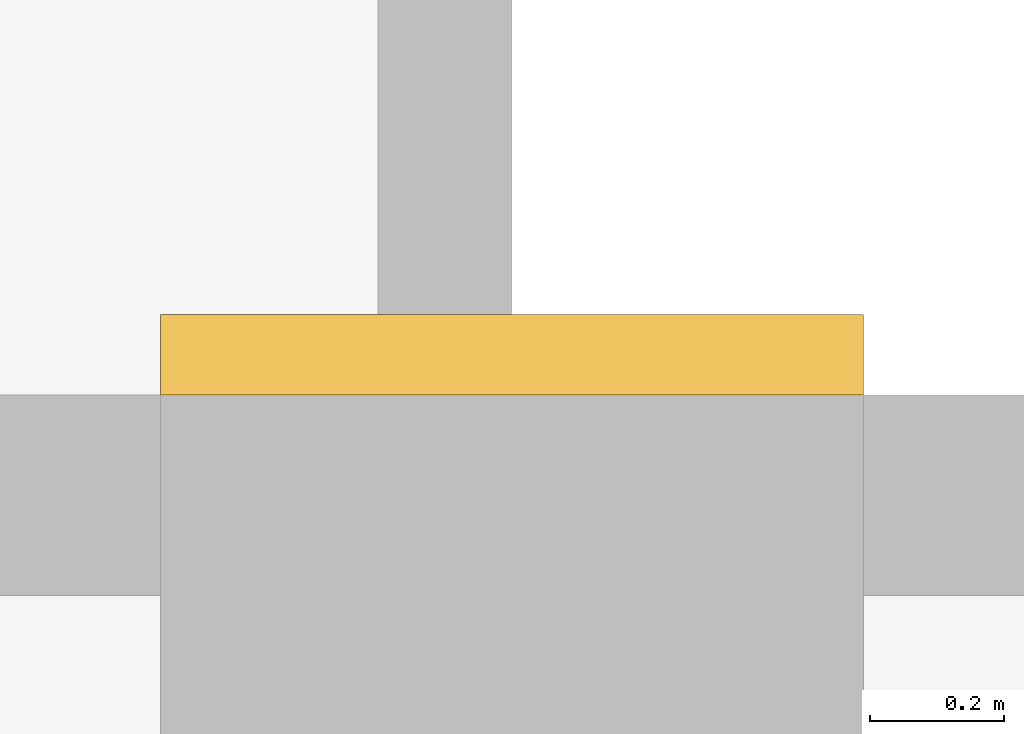
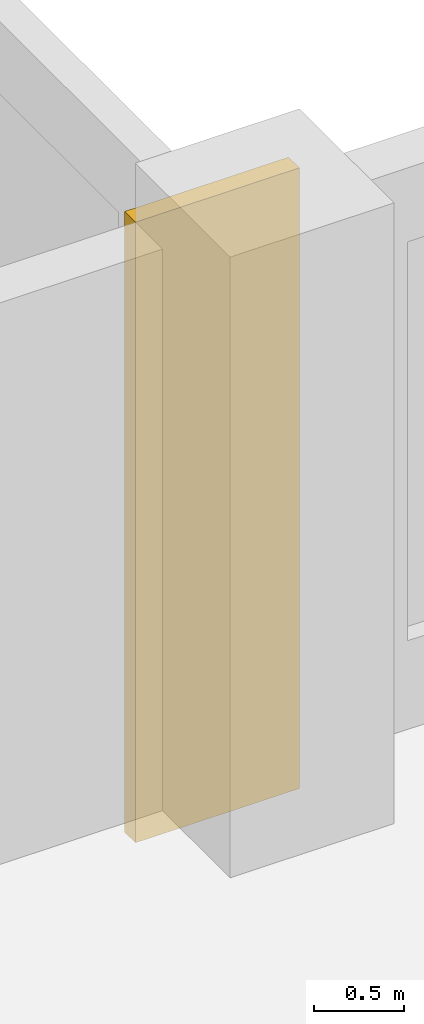
# One storey, part 14 of 14: 1 covering.
"""IFC4 building model written with IfcOpenShell, lengths in metres."""

from ifc_helpers import new_model, si_unit, direction, frame, origin, origin_2d, place, context, subcontext, project, spatial, rectangle, extrude, source, transform, mapped, material, type_object, element, save


model = new_model("IFC4")

# Units and contexts
model_context = context("Model", 3, precision=1e-05, world=origin(), true_north=direction((0.0, 1.0)))
body_context = subcontext(model_context, "Body", "Model", "MODEL_VIEW")
ifc_project = project(units=[si_unit("LENGTHUNIT", "METRE"), si_unit("AREAUNIT", "SQUARE_METRE"), si_unit("VOLUMEUNIT", "CUBIC_METRE"), si_unit("PLANEANGLEUNIT", "RADIAN"), si_unit("MASSUNIT", "GRAM", prefix="KILO")], contexts=[model_context])

# Site, building, storey
site_placement = place(None, origin())
site = spatial("IfcSite", under=ifc_project, at=site_placement, CompositionType="ELEMENT")
building_placement = place(site_placement, origin())
building = spatial("IfcBuilding", under=site, at=building_placement, Name="Aurelian Terraces", CompositionType="ELEMENT")
storey_placement = place(building_placement, frame((0.0, 0.0, 132.9)))
storey = spatial("IfcBuildingStorey", under=building, at=storey_placement, Name="L29", CompositionType="ELEMENT", Elevation=132.9)

# Covering
ifc_material = material(Name="Terracotta rainscreen cladding relief", Category="masonry")
covering_type = type_object("IfcCoveringType", Name="BAGUETTE-TC", PredefinedType="CLADDING", material=ifc_material)
shared_shape = source(origin(), body_context, "Body", "SweptSolid", [
    extrude(rectangle(XDim=1.05, YDim=0.12, at=origin_2d()), origin(), (0.0, 0.0, 1.0), 4.2),
])
covering_placement = place(storey_placement, frame((63.84, 21.06, -0.4), z_axis=(0.0, 0.0, 1.0), x_axis=(1.0, 0.0, 0.0)))
element("IfcCovering", 1, at=covering_placement, inside=storey, type_object=covering_type, Name="BAGUETTE pier L29 9", PredefinedType="CLADDING", context=body_context, shape_type="MappedRepresentation", body=[
    mapped(shared_shape, transform((0.0, 0.0, 0.0), scale=1.0)),
])

save(model, "model.ifc")
